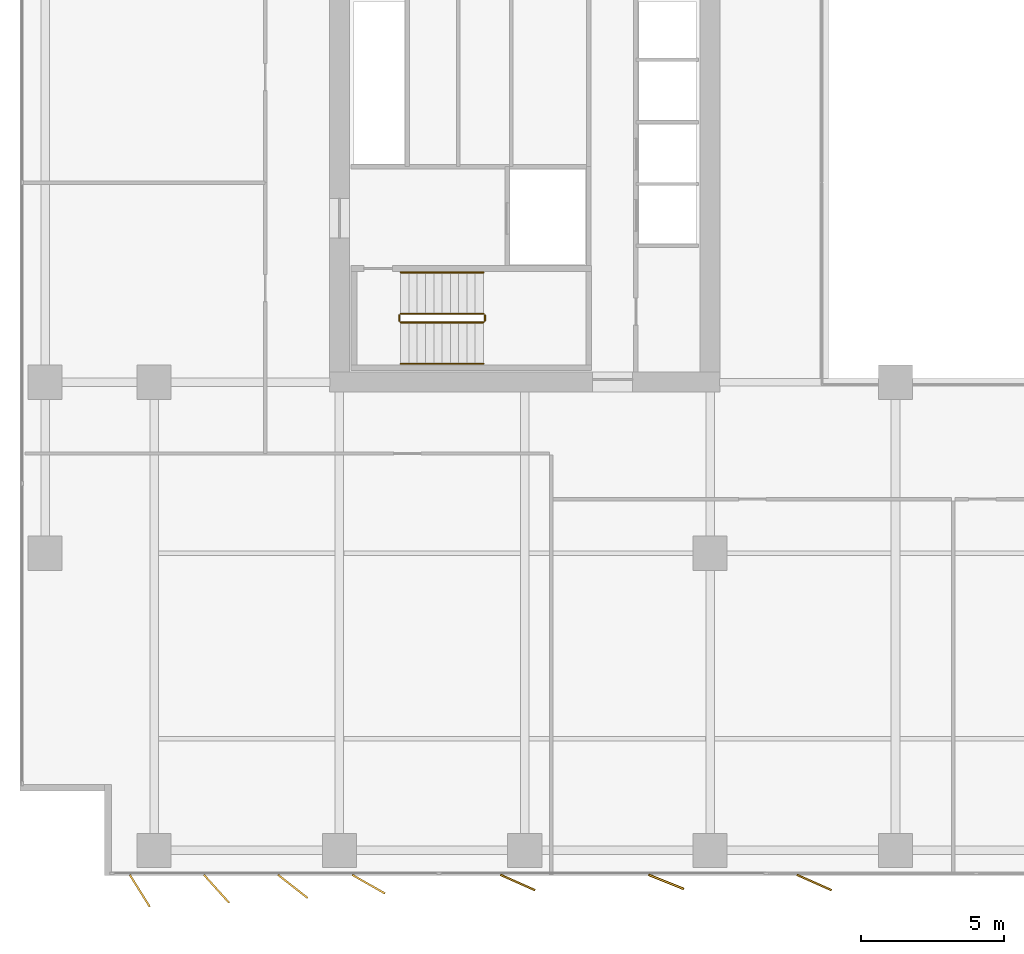
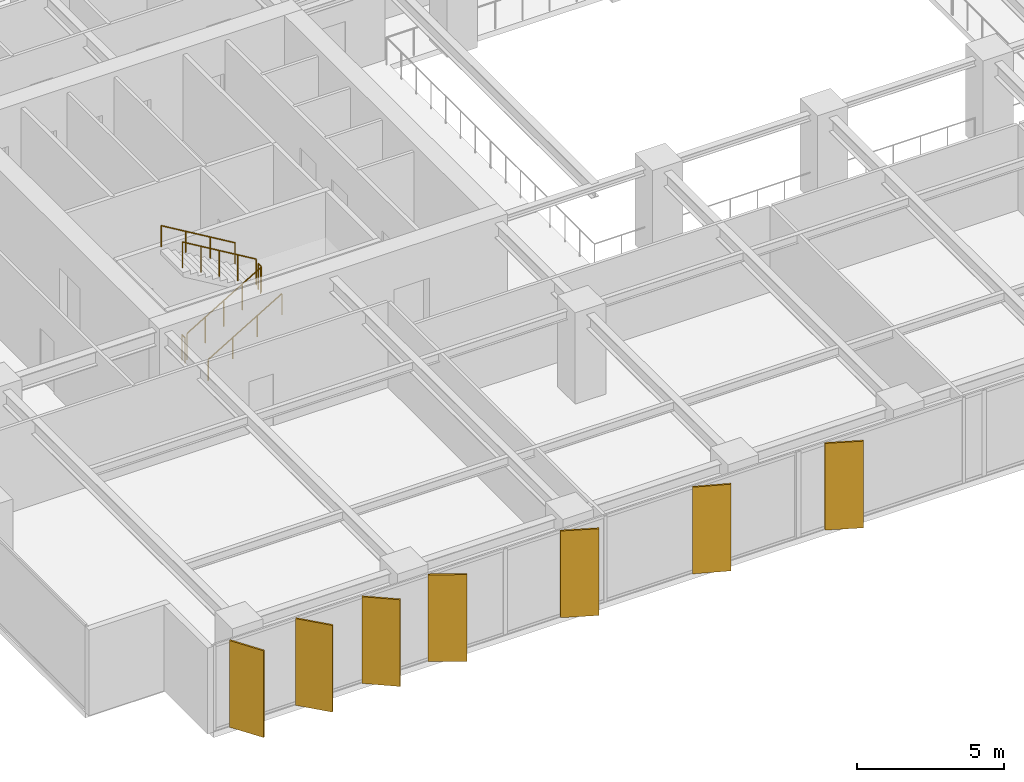
# One storey, part 17 of 20: 7 shading devices, 6 railings.
"""IFC4 building model written with IfcOpenShell, lengths in metres."""

from ifc_helpers import new_model, si_unit, direction, frame, origin, origin_2d, place, context, subcontext, project, spatial, rectangle, circle, extrude, material, layer, layer_set, type_object, element, save


model = new_model("IFC4")

# Units and contexts
model_context = context("Model", 3, precision=1e-05, world=origin(), true_north=direction((0.0, 1.0)))
body_context = subcontext(model_context, "Body", "Model", "MODEL_VIEW")
ifc_project = project(units=[si_unit("LENGTHUNIT", "METRE"), si_unit("AREAUNIT", "SQUARE_METRE"), si_unit("VOLUMEUNIT", "CUBIC_METRE"), si_unit("PLANEANGLEUNIT", "RADIAN"), si_unit("MASSUNIT", "GRAM", prefix="KILO")], contexts=[model_context])

# Site, building, storey
site_placement = place(None, origin())
site = spatial("IfcSite", under=ifc_project, at=site_placement, CompositionType="ELEMENT")
building_placement = place(site_placement, origin())
building = spatial("IfcBuilding", under=site, at=building_placement, Name="Putna Gate Headquarters", CompositionType="ELEMENT")
storey_placement = place(building_placement, frame((0.0, 0.0, 112.60009765625)))
storey = spatial("IfcBuildingStorey", under=building, at=storey_placement, Name="L27", CompositionType="ELEMENT", Elevation=112.60009765625)

# Railings
ifc_material_1 = material(Name="Powder-coated steel stair guardrail", Category="steel")
railing_type_1 = type_object("IfcRailingType", Name="RAIL-STAIR-GUARD-1100", PredefinedType="GUARDRAIL", material=ifc_material_1)
railing_1_placement = place(storey_placement, frame((15.14990234375, 21.10009765625, 0.172607421875)))
element("IfcRailing", 1, at=railing_1_placement, inside=storey, type_object=railing_type_1, Name="L27 ST1 stair guard 1", PredefinedType="GUARDRAIL", context=body_context, shape_type="SweptSolid", body=[
    extrude(circle(Radius=0.02392578125, at=origin_2d()), frame((0.0, 0.0, 1.076171875), z_axis=(0.859160404282, 0.0, 0.51170636083), x_axis=(0.0, 1.0, 0.0)), (0.0, 0.0, 1.0), 3.37548828125),
    extrude(circle(Radius=0.02099609375, at=origin_2d()), origin(), (0.0, 0.0, 1.0), 1.052001953125),
    extrude(circle(Radius=0.02099609375, at=origin_2d()), frame((0.72509765625, 0.0, 0.431884765625)), (0.0, 0.0, 1.0), 1.052001953125),
    extrude(circle(Radius=0.02099609375, at=origin_2d()), frame((1.4501953125, 0.0, 0.86376953125)), (0.0, 0.0, 1.0), 1.052001953125),
    extrude(circle(Radius=0.02099609375, at=origin_2d()), frame((2.175048828125, 0.0, 1.29541015625)), (0.0, 0.0, 1.0), 1.052001953125),
    extrude(circle(Radius=0.02099609375, at=origin_2d()), frame((2.900146484375, 0.0, 1.727294921875)), (0.0, 0.0, 1.0), 1.052001953125),
])
railing_2_placement = place(storey_placement, frame((18.10009765625, 21.14990234375, 1.89990234375)))
element("IfcRailing", 2, at=railing_2_placement, inside=storey, type_object=railing_type_1, Name="L27 ST1 stair guard 2", PredefinedType="GUARDRAIL", context=body_context, shape_type="SweptSolid", body=[
    extrude(circle(Radius=0.02392578125, at=origin_2d()), frame((0.0, 0.0, 1.076171875), z_axis=(0.0, 1.0, 0.0), x_axis=(-1.0, 0.0, 0.0)), (0.0, 0.0, 1.0), 0.2001953125),
    extrude(circle(Radius=0.02099609375, at=origin_2d()), origin(), (0.0, 0.0, 1.0), 1.052001953125),
    extrude(circle(Radius=0.02099609375, at=origin_2d()), frame((0.0, 0.2001953125, 0.0)), (0.0, 0.0, 1.0), 1.052001953125),
])
railing_3_placement = place(storey_placement, frame((18.050048828125, 21.39990234375, 2.072509765625)))
element("IfcRailing", 3, at=railing_3_placement, inside=storey, type_object=railing_type_1, Name="L27 ST1 stair guard 3", PredefinedType="GUARDRAIL", context=body_context, shape_type="SweptSolid", body=[
    extrude(circle(Radius=0.02392578125, at=origin_2d()), frame((0.0, 0.0, 1.076171875), z_axis=(-0.859160404282, 0.0, 0.51170636083), x_axis=(0.0, -1.0, 0.0)), (0.0, 0.0, 1.0), 3.37548828125),
    extrude(circle(Radius=0.02099609375, at=origin_2d()), origin(), (0.0, 0.0, 1.0), 1.052001953125),
    extrude(circle(Radius=0.02099609375, at=origin_2d()), frame((-0.72509765625, 0.0, 0.431884765625)), (0.0, 0.0, 1.0), 1.052001953125),
    extrude(circle(Radius=0.02099609375, at=origin_2d()), frame((-1.4501953125, 0.0, 0.86376953125)), (0.0, 0.0, 1.0), 1.052001953125),
    extrude(circle(Radius=0.02099609375, at=origin_2d()), frame((-2.175048828125, 0.0, 1.29541015625)), (0.0, 0.0, 1.0), 1.052001953125),
    extrude(circle(Radius=0.02099609375, at=origin_2d()), frame((-2.900146484375, 0.0, 1.727294921875)), (0.0, 0.0, 1.0), 1.052001953125),
])
railing_4_placement = place(storey_placement, frame((15.10009765625, 21.14990234375, 0.0)))
element("IfcRailing", 4, at=railing_4_placement, inside=storey, type_object=railing_type_1, Name="L27 ST1 stair guard 4", PredefinedType="GUARDRAIL", context=body_context, shape_type="SweptSolid", body=[
    extrude(circle(Radius=0.02392578125, at=origin_2d()), frame((0.0, 0.0, 1.076171875), z_axis=(0.0, 1.0, 0.0), x_axis=(-1.0, 0.0, 0.0)), (0.0, 0.0, 1.0), 0.2001953125),
    extrude(circle(Radius=0.02099609375, at=origin_2d()), origin(), (0.0, 0.0, 1.0), 1.052001953125),
    extrude(circle(Radius=0.02099609375, at=origin_2d()), frame((0.0, 0.2001953125, 0.0)), (0.0, 0.0, 1.0), 1.052001953125),
])
ifc_material_2 = material(Name="Brushed stainless steel handrail", Category="steel")
railing_type_2 = type_object("IfcRailingType", Name="RAIL-STAIR-HAND-900", PredefinedType="HANDRAIL", material=ifc_material_2)
railing_5_placement = place(storey_placement, frame((15.14990234375, 19.64990234375, 0.172607421875)))
element("IfcRailing", 5, at=railing_5_placement, inside=storey, type_object=railing_type_2, Name="L27 ST1 stair handrail 1", PredefinedType="HANDRAIL", context=body_context, shape_type="SweptSolid", body=[
    extrude(circle(Radius=0.02392578125, at=origin_2d()), frame((0.0, 0.0, 0.8759765625), z_axis=(0.859160404282, 0.0, 0.51170636083), x_axis=(0.0, 1.0, 0.0)), (0.0, 0.0, 1.0), 3.37548828125),
    extrude(circle(Radius=0.02099609375, at=origin_2d()), origin(), (0.0, 0.0, 1.0), 0.851806640625),
    extrude(circle(Radius=0.02099609375, at=origin_2d()), frame((0.966796875, 0.0, 0.57568359375)), (0.0, 0.0, 1.0), 0.851806640625),
    extrude(circle(Radius=0.02099609375, at=origin_2d()), frame((1.933349609375, 0.0, 1.151611328125)), (0.0, 0.0, 1.0), 0.851806640625),
    extrude(circle(Radius=0.02099609375, at=origin_2d()), frame((2.900146484375, 0.0, 1.727294921875)), (0.0, 0.0, 1.0), 0.851806640625),
])
railing_6_placement = place(storey_placement, frame((18.050048828125, 22.85009765625, 2.072509765625)))
element("IfcRailing", 6, at=railing_6_placement, inside=storey, type_object=railing_type_2, Name="L27 ST1 stair handrail 2", PredefinedType="HANDRAIL", context=body_context, shape_type="SweptSolid", body=[
    extrude(circle(Radius=0.02392578125, at=origin_2d()), frame((0.0, 0.0, 0.8759765625), z_axis=(-0.859160404282, 0.0, 0.51170636083), x_axis=(0.0, -1.0, 0.0)), (0.0, 0.0, 1.0), 3.37548828125),
    extrude(circle(Radius=0.02099609375, at=origin_2d()), origin(), (0.0, 0.0, 1.0), 0.851806640625),
    extrude(circle(Radius=0.02099609375, at=origin_2d()), frame((-0.966796875, 0.0, 0.57568359375)), (0.0, 0.0, 1.0), 0.851806640625),
    extrude(circle(Radius=0.02099609375, at=origin_2d()), frame((-1.933349609375, 0.0, 1.151611328125)), (0.0, 0.0, 1.0), 0.851806640625),
    extrude(circle(Radius=0.02099609375, at=origin_2d()), frame((-2.900146484375, 0.0, 1.727294921875)), (0.0, 0.0, 1.0), 0.851806640625),
])

# Shading devices
ifc_material_3 = material(Name="Anodised architectural bronze aluminium fin", Category="aluminium")
ifc_layer = layer(ifc_material_3, 0.06494140625)
ifc_layer_set = layer_set([ifc_layer], Name="Anodised architectural bronze aluminium fin")
shading_device_type = type_object("IfcShadingDeviceType", Name="SHADE-BRONZE-FIN-1320", PredefinedType="USERDEFINED", material=ifc_layer_set)
for number, where, z_axis, x_axis, name in (
    (7, (6.000244140625, 1.16552734375, -0.02001953125), (0.0, 0.0, 1.0), (0.530659123936, -0.847585331506, 0.0), "L27 Bronze Vertical Shading Fin S1"),
    (8, (8.691650390625, 1.234619140625, -0.02001953125), (0.0, 0.0, 1.0), (0.669130606359, -0.743144825477, 0.0), "L27 Bronze Vertical Shading Fin S2"),
    (9, (11.36962890625, 1.318115234375, -0.02001953125), (0.0, 0.0, 1.0), (0.787473187632, -0.616348909921, 0.0), "L27 Bronze Vertical Shading Fin S3"),
    (10, (14.023681640625, 1.398681640625, -0.02001953125), (0.0, 0.0, 1.0), (0.869322458298, -0.494245347472, 0.0), "L27 Bronze Vertical Shading Fin S4"),
    (11, (19.2529296875, 1.456787109375, -0.02001953125), (0.0, 0.0, 1.0), (0.913687379856, -0.40641773078, 0.0), "L27 Bronze Vertical Shading Fin S5"),
    (12, (24.4619140625, 1.477783203125, -0.02001953125), (0.0, 0.0, 1.0), (0.927183854567, -0.374606593416, 0.0), "L27 Bronze Vertical Shading Fin S6"),
    (13, (29.653076171875, 1.456787109375, -0.02001953125), (0.0, 0.0, 1.0), (0.913687379856, -0.40641773078, 0.0), "L27 Bronze Vertical Shading Fin S7"),
):
    element("IfcShadingDevice", number, at=place(storey_placement, frame(where, z_axis=z_axis, x_axis=x_axis)), inside=storey, type_object=shading_device_type, Name=name, ObjectType="FIN", PredefinedType="USERDEFINED", context=body_context, shape_type="SweptSolid", body=[
        extrude(rectangle(XDim=1.320068359375, YDim=0.06494140625, at=origin_2d()), origin(), (0.0, 0.0, 1.0), 3.60498046875),
    ])

save(model, "model.ifc")
